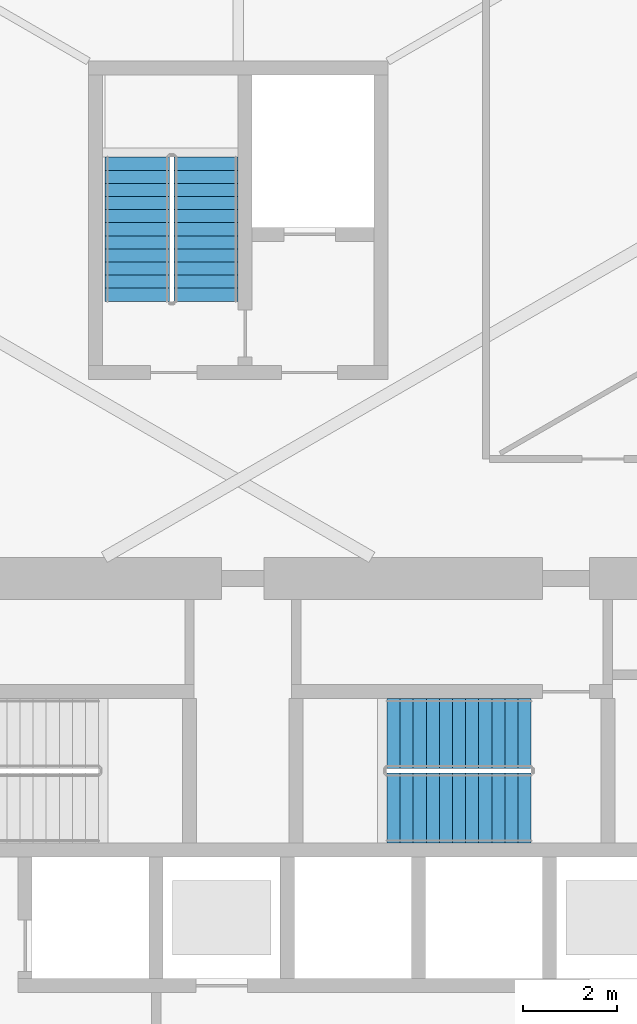
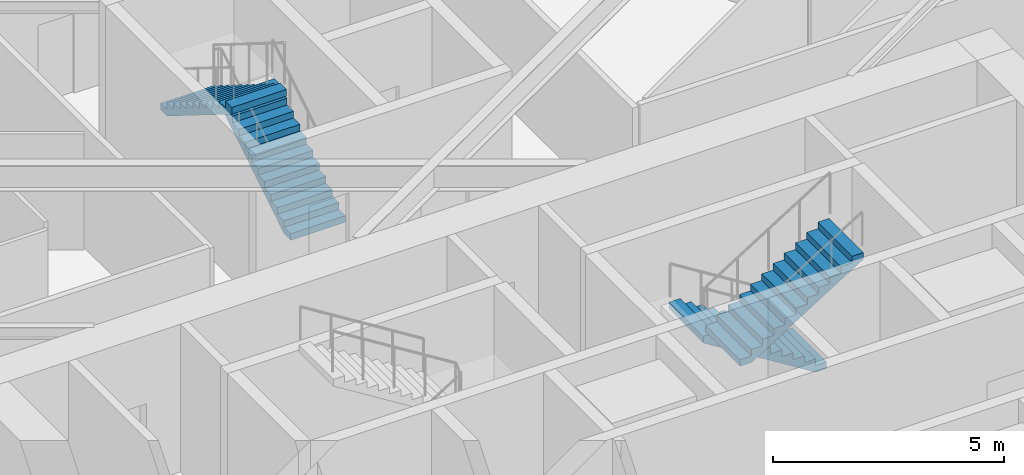
# One storey, part 17 of 19: 4 stair flights, 2 elements without a shape of their own.
"""IFC4 building model written with IfcOpenShell, lengths in metres."""

from ifc_helpers import new_model, si_unit, direction, frame, origin, place, context, subcontext, project, spatial, polyline, outline, extrude, material, type_object, element, aggregate, save


model = new_model("IFC4")

# Units and contexts
model_context = context("Model", 3, precision=1e-05, world=origin(), true_north=direction((0.0, 1.0)))
body_context = subcontext(model_context, "Body", "Model", "MODEL_VIEW")
ifc_project = project(units=[si_unit("LENGTHUNIT", "METRE"), si_unit("AREAUNIT", "SQUARE_METRE"), si_unit("VOLUMEUNIT", "CUBIC_METRE"), si_unit("PLANEANGLEUNIT", "RADIAN"), si_unit("MASSUNIT", "GRAM", prefix="KILO")], contexts=[model_context])

# Site, building, storey
site_placement = place(None, origin())
site = spatial("IfcSite", under=ifc_project, at=site_placement, CompositionType="ELEMENT")
building_placement = place(site_placement, origin())
building = spatial("IfcBuilding", under=site, at=building_placement, Name="Firuza Gate Tower and Library", CompositionType="ELEMENT")
storey_placement = place(building_placement, frame((0.0, 0.0, 136.60009765625)))
storey = spatial("IfcBuildingStorey", under=building, at=storey_placement, Name="L31", CompositionType="ELEMENT", Elevation=136.60009765625)

# Stair, stair flights
ifc_material_1 = material(Name="Concrete C35/45", Category="concrete")
stair_type_1 = type_object("IfcStairType", Name="Exit stair ST14", PredefinedType="HALF_TURN_STAIR", material=ifc_material_1)
placement = place(storey_placement, origin())
stair_1 = element("IfcStair", 1, at=placement, inside=storey, type_object=stair_type_1, Name="L31 Stair ST3", PredefinedType="HALF_TURN_STAIR")
ifc_material_2 = material(Name="Concrete C35/45", Category="concrete")
stair_flight_type_1 = type_object("IfcStairFlightType", Name="Stair flight 12 risers 175 width 1370", PredefinedType="STRAIGHT", material=ifc_material_2)
stair_flight_1_placement = place(storey_placement, frame((74.31494140625, 89.469970703125, 0.0), z_axis=(0.0, 0.0, 1.0), x_axis=(0.0, 1.0, 0.0)))
stair_flight_1 = element("IfcStairFlight", 2, at=stair_flight_1_placement, type_object=stair_flight_type_1, Name="ST3 flight 1", NumberOfRisers=12, NumberOfTreads=11, PredefinedType="STRAIGHT", RiserHeight=0.175, TreadLength=0.28, context=body_context, shape_type="SweptSolid", body=[
    extrude(outline(polyline([(0.0, 0.0), (0.0, 0.175048828125), (0.280029296875, 0.175048828125), (0.280029296875, 0.35009765625), (0.56005859375, 0.35009765625), (0.56005859375, 0.52490234375), (0.840087890625, 0.52490234375), (0.840087890625, 0.699951171875), (1.1201171875, 0.699951171875), (1.1201171875, 0.875), (1.39990234375, 0.875), (1.39990234375, 1.050048828125), (1.679931640625, 1.050048828125), (1.679931640625, 1.22509765625), (1.9599609375, 1.22509765625), (1.9599609375, 1.39990234375), (2.239990234375, 1.39990234375), (2.239990234375, 1.574951171875), (2.52001953125, 1.574951171875), (2.52001953125, 1.75), (2.800048828125, 1.75), (2.800048828125, 1.925048828125), (3.080078125, 1.925048828125), (3.080078125, 2.10009765625), (3.080078125, 1.748291015625), (0.28271484375, 0.0), (0.0, 0.0)])), frame((0.0, 0.68505859375, 0.0), z_axis=(0.0, -1.0, 0.0), x_axis=(1.0, 0.0, 0.0)), (0.0, 0.0, 1.0), 1.3701171875),
])
stair_flight_2_placement = place(storey_placement, frame((72.844970703125, 92.550048828125, 2.099853515625), z_axis=(0.0, 0.0, 1.0), x_axis=(0.0, -1.0, 0.0)))
stair_flight_2 = element("IfcStairFlight", 3, at=stair_flight_2_placement, type_object=stair_flight_type_1, Name="ST3 flight 2", NumberOfRisers=12, NumberOfTreads=11, PredefinedType="STRAIGHT", RiserHeight=0.175, TreadLength=0.28, context=body_context, shape_type="SweptSolid", body=[
    extrude(outline(polyline([(0.0, 0.0), (0.0, 0.175048828125), (0.280029296875, 0.175048828125), (0.280029296875, 0.35009765625), (0.56005859375, 0.35009765625), (0.56005859375, 0.52490234375), (0.840087890625, 0.52490234375), (0.840087890625, 0.699951171875), (1.1201171875, 0.699951171875), (1.1201171875, 0.875), (1.39990234375, 0.875), (1.39990234375, 1.050048828125), (1.679931640625, 1.050048828125), (1.679931640625, 1.22509765625), (1.9599609375, 1.22509765625), (1.9599609375, 1.39990234375), (2.239990234375, 1.39990234375), (2.239990234375, 1.574951171875), (2.52001953125, 1.574951171875), (2.52001953125, 1.75), (2.800048828125, 1.75), (2.800048828125, 1.925048828125), (3.080078125, 1.925048828125), (3.080078125, 2.10009765625), (3.080078125, 1.748291015625), (0.28271484375, 0.0), (0.0, 0.0)])), frame((0.0, 0.68505859375, 0.0), z_axis=(0.0, -1.0, 0.0), x_axis=(1.0, 0.0, 0.0)), (0.0, 0.0, 1.0), 1.3701171875),
])
aggregate(stair_1, [stair_flight_1, stair_flight_2])

ifc_material_3 = material(Name="Concrete C35/45", Category="concrete")
stair_type_2 = type_object("IfcStairType", Name="Exit stair ST5", PredefinedType="HALF_TURN_STAIR", material=ifc_material_3)
stair_2 = element("IfcStair", 4, at=placement, inside=storey, type_object=stair_type_2, Name="L31 Stair ST2", PredefinedType="HALF_TURN_STAIR")
ifc_material_4 = material(Name="Concrete C35/45", Category="concrete")
stair_flight_type_2 = type_object("IfcStairFlightType", Name="Stair flight 12 risers 175 width 1490", PredefinedType="STRAIGHT", material=ifc_material_4)
stair_flight_3_placement = place(storey_placement, frame((81.260009765625, 80.235107421875, 0.0), z_axis=(0.0, 0.0, 1.0), x_axis=(-1.0, 0.0, 0.0)))
stair_flight_3 = element("IfcStairFlight", 5, at=stair_flight_3_placement, type_object=stair_flight_type_2, Name="ST2 flight 1", NumberOfRisers=12, NumberOfTreads=11, PredefinedType="STRAIGHT", RiserHeight=0.175, TreadLength=0.28, context=body_context, shape_type="SweptSolid", body=[
    extrude(outline(polyline([(0.0, 0.0), (0.0, 0.175048828125), (0.280029296875, 0.175048828125), (0.280029296875, 0.35009765625), (0.56005859375, 0.35009765625), (0.56005859375, 0.52490234375), (0.840087890625, 0.52490234375), (0.840087890625, 0.699951171875), (1.1201171875, 0.699951171875), (1.1201171875, 0.875), (1.39990234375, 0.875), (1.39990234375, 1.050048828125), (1.679931640625, 1.050048828125), (1.679931640625, 1.22509765625), (1.9599609375, 1.22509765625), (1.9599609375, 1.39990234375), (2.239990234375, 1.39990234375), (2.239990234375, 1.574951171875), (2.52001953125, 1.574951171875), (2.52001953125, 1.75), (2.800048828125, 1.75), (2.800048828125, 1.925048828125), (3.080078125, 1.925048828125), (3.080078125, 2.10009765625), (3.080078125, 1.748291015625), (0.28271484375, 0.0), (0.0, 0.0)])), frame((0.0, 0.7451171875, 0.0), z_axis=(0.0, -1.0, 0.0), x_axis=(1.0, 0.0, 0.0)), (0.0, 0.0, 1.0), 1.489990234375),
])
stair_flight_4_placement = place(storey_placement, frame((78.179931640625, 78.64501953125, 2.099853515625), z_axis=(0.0, 0.0, 1.0), x_axis=(1.0, 0.0, 0.0)))
stair_flight_4 = element("IfcStairFlight", 6, at=stair_flight_4_placement, type_object=stair_flight_type_2, Name="ST2 flight 2", NumberOfRisers=12, NumberOfTreads=11, PredefinedType="STRAIGHT", RiserHeight=0.175, TreadLength=0.28, context=body_context, shape_type="SweptSolid", body=[
    extrude(outline(polyline([(0.0, 0.0), (0.0, 0.175048828125), (0.280029296875, 0.175048828125), (0.280029296875, 0.35009765625), (0.56005859375, 0.35009765625), (0.56005859375, 0.52490234375), (0.840087890625, 0.52490234375), (0.840087890625, 0.699951171875), (1.1201171875, 0.699951171875), (1.1201171875, 0.875), (1.39990234375, 0.875), (1.39990234375, 1.050048828125), (1.679931640625, 1.050048828125), (1.679931640625, 1.22509765625), (1.9599609375, 1.22509765625), (1.9599609375, 1.39990234375), (2.239990234375, 1.39990234375), (2.239990234375, 1.574951171875), (2.52001953125, 1.574951171875), (2.52001953125, 1.75), (2.800048828125, 1.75), (2.800048828125, 1.925048828125), (3.080078125, 1.925048828125), (3.080078125, 2.10009765625), (3.080078125, 1.748291015625), (0.28271484375, 0.0), (0.0, 0.0)])), frame((0.0, 0.7451171875, 0.0), z_axis=(0.0, -1.0, 0.0), x_axis=(1.0, 0.0, 0.0)), (0.0, 0.0, 1.0), 1.489990234375),
])
aggregate(stair_2, [stair_flight_3, stair_flight_4])

save(model, "model.ifc")
